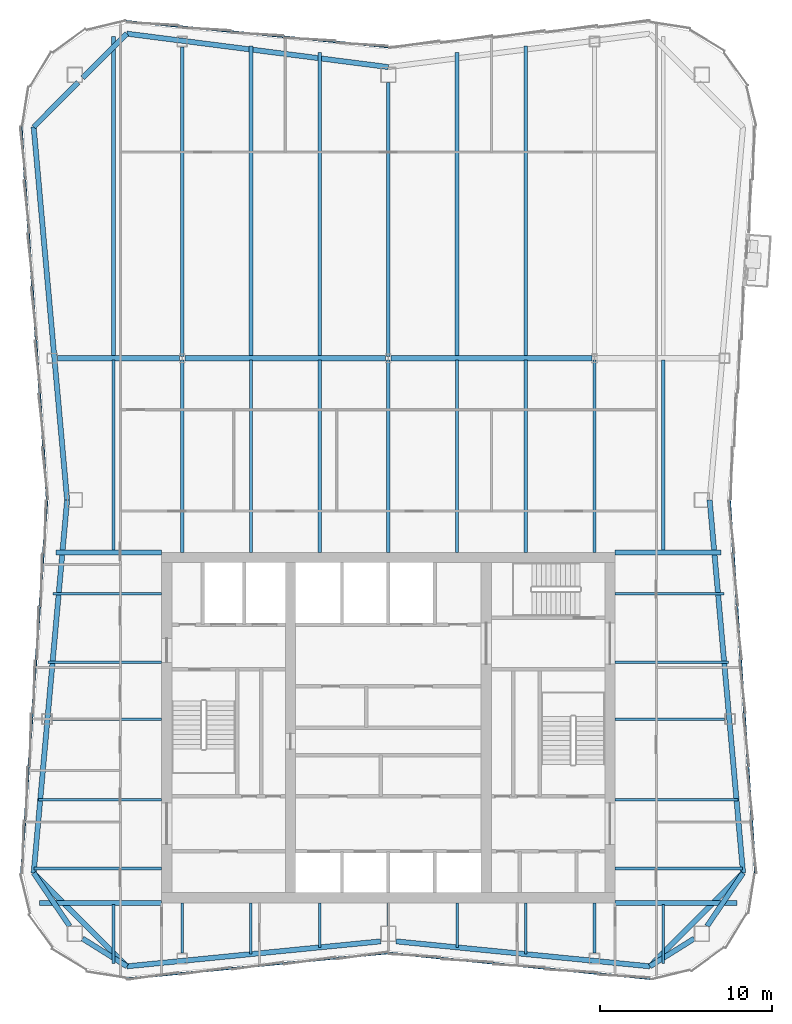
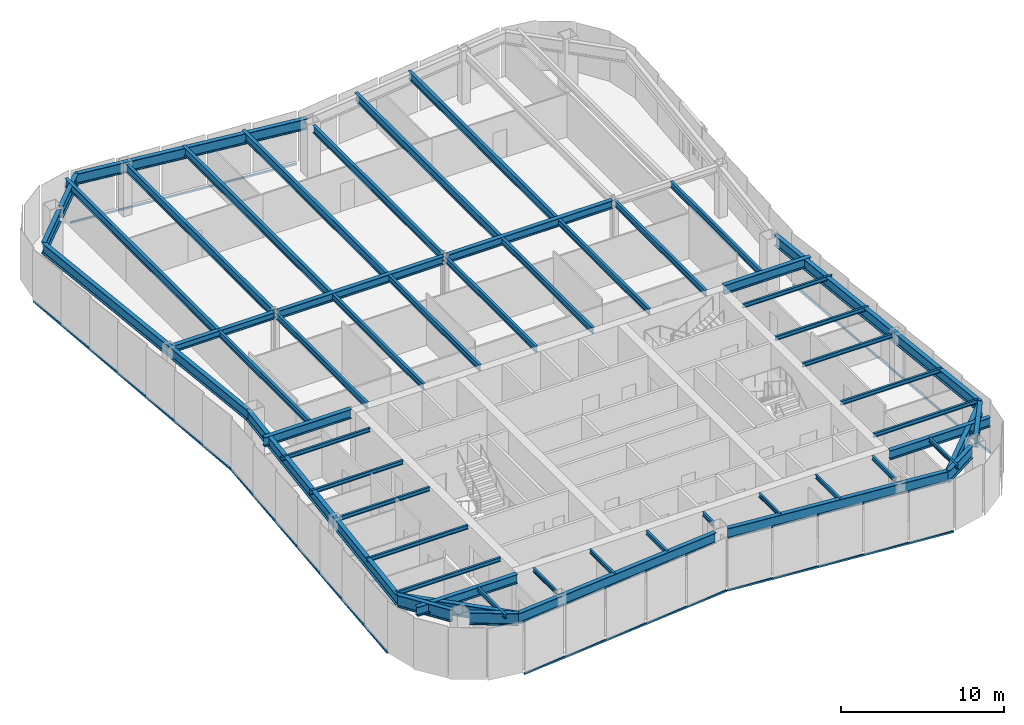
# One storey, part 3 of 10: 56 beams, 6 members, 4 elements without a shape of their own.
"""IFC4 building model written with IfcOpenShell, lengths in metres."""

from ifc_helpers import new_model, si_unit, direction, frame, origin, origin_2d, place, context, subcontext, project, spatial, rectangle, i_section, extrude, material, material_profile, profile_set, type_object, element, aggregate, save


model = new_model("IFC4")

# Units and contexts
model_context = context("Model", 3, precision=1e-05, world=origin(), true_north=direction((0.0, 1.0)))
body_context = subcontext(model_context, "Body", "Model", "MODEL_VIEW")
ifc_project = project(units=[si_unit("LENGTHUNIT", "METRE"), si_unit("AREAUNIT", "SQUARE_METRE"), si_unit("VOLUMEUNIT", "CUBIC_METRE"), si_unit("PLANEANGLEUNIT", "RADIAN"), si_unit("MASSUNIT", "GRAM", prefix="KILO")], contexts=[model_context])

# Site, building, storey
site_placement = place(None, origin())
site = spatial("IfcSite", under=ifc_project, at=site_placement, CompositionType="ELEMENT")
building_placement = place(site_placement, origin())
building = spatial("IfcBuilding", under=site, at=building_placement, Name="Verdant Reach Tower", CompositionType="ELEMENT")
storey_placement = place(building_placement, frame((0.0, 0.0, 322.0)))
storey = spatial("IfcBuildingStorey", under=building, at=storey_placement, Name="L74", CompositionType="ELEMENT", Elevation=322.0)

# Curtain wall, member
ifc_material_1 = material(Name="Anodised aluminium", Category="aluminium")
curtain_wall_type = type_object("IfcCurtainWallType", Name="EN-CW SYSTEM Z5", PredefinedType="NOTDEFINED", material=ifc_material_1)
curtain_wall_1_placement = place(storey_placement, origin())
curtain_wall_1 = element("IfcCurtainWall", 1, at=curtain_wall_1_placement, inside=storey, type_object=curtain_wall_type, Name="Curtain wall east, L74", PredefinedType="NOTDEFINED")
ifc_material_profile_1 = material_profile(ifc_material_1, rectangle(XDim=0.10009765625, YDim=0.1298828125, at=origin_2d()), Name="Transom 130x100")
ifc_profile_set_1 = profile_set([ifc_material_profile_1], Name="Anodised aluminium")
member_type = type_object("IfcMemberType", Name="EN-TRANSOM Z5", PredefinedType="USERDEFINED", material=ifc_profile_set_1)
member_1_placement = place(storey_placement, frame((21.3623046875, 19.527587890625, -0.284912109375), z_axis=(-0.068764705107, 0.997632906099, 0.0), x_axis=(-0.997632906099, -0.068764705107, 0.0)))
member_1 = element("IfcMember", 2, at=member_1_placement, type_object=member_type, Name="Transom east face part 1 1.1, L74", ObjectType="TRANSOM", PredefinedType="USERDEFINED", context=body_context, shape_type="SweptSolid", body=[
    extrude(rectangle(XDim=0.10009765625, YDim=0.1298828125, at=origin_2d()), origin(), (0.0, 0.0, 1.0), 21.739013671875),
])
aggregate(curtain_wall_1, [member_1])

curtain_wall_2_placement = place(storey_placement, origin())
curtain_wall_2 = element("IfcCurtainWall", 3, at=curtain_wall_2_placement, inside=storey, type_object=curtain_wall_type, Name="Curtain wall north, L74", PredefinedType="NOTDEFINED")
member_2_placement = place(storey_placement, frame((-0.034912109375, 67.618408203125, -0.284912109375), z_axis=(-0.99520229006, 0.097838652171, 0.0), x_axis=(-0.097838652171, -0.99520229006, 0.0)))
member_2 = element("IfcMember", 4, at=member_2_placement, type_object=member_type, Name="Transom north face part 2 1.1, L74", ObjectType="TRANSOM", PredefinedType="USERDEFINED", context=body_context, shape_type="SweptSolid", body=[
    extrude(rectangle(XDim=0.10009765625, YDim=0.1298828125, at=origin_2d()), origin(), (0.0, 0.0, 1.0), 15.259033203125),
])
aggregate(curtain_wall_2, [member_2])

# Curtain wall, members
curtain_wall_3_placement = place(storey_placement, origin())
curtain_wall_3 = element("IfcCurtainWall", 5, at=curtain_wall_3_placement, inside=storey, type_object=curtain_wall_type, Name="Curtain wall west, L74", PredefinedType="NOTDEFINED")
member_3_placement = place(storey_placement, frame((-21.3623046875, 62.972412109375, -0.284912109375), z_axis=(0.068764705107, -0.997632906099, 0.0), x_axis=(0.997632906099, 0.068764705107, 0.0)))
member_3 = element("IfcMember", 6, at=member_3_placement, type_object=member_type, Name="Transom west face part 1 1.1, L74", ObjectType="TRANSOM", PredefinedType="USERDEFINED", context=body_context, shape_type="SweptSolid", body=[
    extrude(rectangle(XDim=0.10009765625, YDim=0.1298828125, at=origin_2d()), origin(), (0.0, 0.0, 1.0), 21.739013671875),
])
member_4_placement = place(storey_placement, frame((-19.867431640625, 41.215087890625, -0.284912109375), z_axis=(-0.068764705107, -0.997632906099, 0.0), x_axis=(0.997632906099, -0.068764705107, 0.0)))
member_4 = element("IfcMember", 7, at=member_4_placement, type_object=member_type, Name="Transom west face part 2 1.1, L74", ObjectType="TRANSOM", PredefinedType="USERDEFINED", context=body_context, shape_type="SweptSolid", body=[
    extrude(rectangle(XDim=0.10009765625, YDim=0.1298828125, at=origin_2d()), origin(), (0.0, 0.0, 1.0), 21.739013671875),
])
aggregate(curtain_wall_3, [member_3, member_4])

curtain_wall_4_placement = place(storey_placement, origin())
curtain_wall_4 = element("IfcCurtainWall", 8, at=curtain_wall_4_placement, inside=storey, type_object=curtain_wall_type, Name="Curtain wall south, L74", PredefinedType="NOTDEFINED")
member_5_placement = place(storey_placement, frame((-15.220703125, 13.388671875, -0.284912109375), z_axis=(0.99520229006, 0.097838652171, 0.0), x_axis=(-0.097838652171, 0.99520229006, 0.0)))
member_5 = element("IfcMember", 9, at=member_5_placement, type_object=member_type, Name="Transom south face part 1 1.1, L74", ObjectType="TRANSOM", PredefinedType="USERDEFINED", context=body_context, shape_type="SweptSolid", body=[
    extrude(rectangle(XDim=0.10009765625, YDim=0.1298828125, at=origin_2d()), origin(), (0.0, 0.0, 1.0), 15.259033203125),
])
member_6_placement = place(storey_placement, frame((0.034912109375, 14.881591796875, -0.284912109375), z_axis=(0.99520229006, -0.097838652171, 0.0), x_axis=(0.097838652171, 0.99520229006, 0.0)))
member_6 = element("IfcMember", 10, at=member_6_placement, type_object=member_type, Name="Transom south face part 2 1.1, L74", ObjectType="TRANSOM", PredefinedType="USERDEFINED", context=body_context, shape_type="SweptSolid", body=[
    extrude(rectangle(XDim=0.10009765625, YDim=0.1298828125, at=origin_2d()), origin(), (0.0, 0.0, 1.0), 15.259033203125),
])
aggregate(curtain_wall_4, [member_5, member_6])

# Beams
ifc_material_2 = material(Name="Steel S355", Category="steel")
ifc_material_profile_2 = material_profile(ifc_material_2, i_section(OverallWidth=0.300048828125, OverallDepth=0.489990234375, WebThickness=0.011962890625, FlangeThickness=0.02294921875, FilletRadius=0.027099609375, at=origin_2d()), Name="HEA 500")
ifc_profile_set_2 = profile_set([ifc_material_profile_2], Name="Steel S355")
beam_type_1 = type_object("IfcBeamType", Name="ST-BEAM-HEA500", PredefinedType="BEAM", material=ifc_profile_set_2)
beam_1_placement = place(storey_placement, frame((-19.26904296875, 49.5, 3.625), z_axis=(1.0, 0.0, 0.0), x_axis=(0.0, 1.0, 0.0)))
element("IfcBeam", 11, at=beam_1_placement, inside=storey, type_object=beam_type_1, Name="Row girder, L74", PredefinedType="BEAM", context=body_context, shape_type="SweptSolid", body=[
    extrude(i_section(OverallWidth=0.300048828125, OverallDepth=0.489990234375, WebThickness=0.011962890625, FlangeThickness=0.02294921875, FilletRadius=0.027099609375, at=origin_2d()), origin(), (0.0, 0.0, 1.0), 7.115966796875),
])
ifc_material_profile_3 = material_profile(ifc_material_2, i_section(OverallWidth=0.300048828125, OverallDepth=0.60009765625, WebThickness=0.015380859375, FlangeThickness=0.030029296875, FilletRadius=0.027099609375, at=origin_2d()), Name="HEB 600")
ifc_profile_set_3 = profile_set([ifc_material_profile_3], Name="Steel S355")
beam_type_2 = type_object("IfcBeamType", Name="ST-BEAM-HEB600", PredefinedType="BEAM", material=ifc_profile_set_3)
for number, where, z_axis, x_axis, name in (
    (12, (-11.846923828125, 49.5, 3.570068359375), (1.0, 0.0, 0.0), (0.0, 1.0, 0.0), "Row girder, L74"),
    (13, (0.153076171875, 49.5, 3.570068359375), (1.0, 0.0, 0.0), (0.0, 1.0, 0.0), "Row girder, L74"),
):
    element("IfcBeam", number, at=place(storey_placement, frame(where, z_axis=z_axis, x_axis=x_axis)), inside=storey, type_object=beam_type_2, Name=name, PredefinedType="BEAM", context=body_context, shape_type="SweptSolid", body=[
        extrude(i_section(OverallWidth=0.300048828125, OverallDepth=0.60009765625, WebThickness=0.015380859375, FlangeThickness=0.030029296875, FilletRadius=0.027099609375, at=origin_2d()), origin(), (0.0, 0.0, 1.0), 11.69384765625),
    ])
ifc_material_profile_4 = material_profile(ifc_material_2, i_section(OverallWidth=0.300048828125, OverallDepth=0.699951171875, WebThickness=0.01708984375, FlangeThickness=0.031982421875, FilletRadius=0.027099609375, at=origin_2d()), Name="HEB 700")
ifc_profile_set_4 = profile_set([ifc_material_profile_4], Name="Steel S355")
beam_type_3 = type_object("IfcBeamType", Name="ST-BEAM-HEB700", PredefinedType="BEAM", material=ifc_profile_set_4)
for number, where, z_axis, x_axis, name in (
    (14, (13.199951171875, 38.199951171875, 3.52001953125), (1.0, 0.0, 0.0), (0.0, 1.0, 0.0), "Trimmer beam, L74"),
    (15, (-13.199951171875, 38.199951171875, 3.52001953125), (-1.0, 0.0, 0.0), (0.0, -1.0, 0.0), "Trimmer beam, L74"),
):
    element("IfcBeam", number, at=place(storey_placement, frame(where, z_axis=z_axis, x_axis=x_axis)), inside=storey, type_object=beam_type_3, Name=name, PredefinedType="BEAM", context=body_context, shape_type="SweptSolid", body=[
        extrude(i_section(OverallWidth=0.300048828125, OverallDepth=0.699951171875, WebThickness=0.01708984375, FlangeThickness=0.031982421875, FilletRadius=0.027099609375, at=origin_2d()), origin(), (0.0, 0.0, 1.0), 6.158935546875),
    ])
for number, where, z_axis, x_axis, name in (
    (16, (13.199951171875, 17.800048828125, 3.52001953125), (1.0, 0.0, 0.0), (0.0, 1.0, 0.0), "Trimmer beam, L74"),
    (17, (-13.199951171875, 17.800048828125, 3.52001953125), (-1.0, 0.0, 0.0), (0.0, -1.0, 0.0), "Trimmer beam, L74"),
):
    element("IfcBeam", number, at=place(storey_placement, frame(where, z_axis=z_axis, x_axis=x_axis)), inside=storey, type_object=beam_type_3, Name=name, PredefinedType="BEAM", context=body_context, shape_type="SweptSolid", body=[
        extrude(i_section(OverallWidth=0.300048828125, OverallDepth=0.699951171875, WebThickness=0.01708984375, FlangeThickness=0.031982421875, FilletRadius=0.027099609375, at=origin_2d()), origin(), (0.0, 0.0, 1.0), 7.10009765625),
    ])
ifc_material_profile_5 = material_profile(ifc_material_2, i_section(OverallWidth=0.302001953125, OverallDepth=0.909912109375, WebThickness=0.02099609375, FlangeThickness=0.0400390625, FilletRadius=0.030029296875, at=origin_2d()), Name="HEM 900")
ifc_profile_set_5 = profile_set([ifc_material_profile_5], Name="Steel S355")
beam_type_4 = type_object("IfcBeamType", Name="ST-BEAM-HEM900", PredefinedType="BEAM", material=ifc_profile_set_5)
beam_2_placement = place(storey_placement, frame((17.800048828125, 15.71875, 3.4150390625), z_axis=(-0.847903624467, -0.530150397166, 0.0), x_axis=(0.530150397166, -0.847903624467, 0.0)))
element("IfcBeam", 18, at=beam_2_placement, inside=storey, type_object=beam_type_4, Name="Column stub beam, L74", PredefinedType="BEAM", context=body_context, shape_type="SweptSolid", body=[
    extrude(i_section(OverallWidth=0.302001953125, OverallDepth=0.909912109375, WebThickness=0.02099609375, FlangeThickness=0.0400390625, FilletRadius=0.030029296875, at=origin_2d()), origin(), (0.0, 0.0, 1.0), 3.042724609375),
])
beam_3_placement = place(storey_placement, frame((18.5546875, 16.449951171875, 3.4150390625), z_axis=(0.560667226688, 0.828041219335, 0.0), x_axis=(-0.828041219335, 0.560667226688, 0.0)))
element("IfcBeam", 19, at=beam_3_placement, inside=storey, type_object=beam_type_4, Name="Column stub beam, L74", PredefinedType="BEAM", context=body_context, shape_type="SweptSolid", body=[
    extrude(i_section(OverallWidth=0.302001953125, OverallDepth=0.909912109375, WebThickness=0.02099609375, FlangeThickness=0.0400390625, FilletRadius=0.030029296875, at=origin_2d()), origin(), (0.0, 0.0, 1.0), 3.72998046875),
])
beam_4_placement = place(storey_placement, frame((-17.800048828125, 15.71875, 3.4150390625), z_axis=(0.847903624467, -0.530150397166, 0.0), x_axis=(0.530150397166, 0.847903624467, 0.0)))
element("IfcBeam", 20, at=beam_4_placement, inside=storey, type_object=beam_type_4, Name="Column stub beam, L74", PredefinedType="BEAM", context=body_context, shape_type="SweptSolid", body=[
    extrude(i_section(OverallWidth=0.302001953125, OverallDepth=0.909912109375, WebThickness=0.02099609375, FlangeThickness=0.0400390625, FilletRadius=0.030029296875, at=origin_2d()), origin(), (0.0, 0.0, 1.0), 3.042724609375),
])
beam_5_placement = place(storey_placement, frame((-18.5546875, 16.449951171875, 3.4150390625), z_axis=(-0.560667226688, 0.828041219335, 0.0), x_axis=(-0.828041219335, -0.560667226688, 0.0)))
element("IfcBeam", 21, at=beam_5_placement, inside=storey, type_object=beam_type_4, Name="Column stub beam, L74", PredefinedType="BEAM", context=body_context, shape_type="SweptSolid", body=[
    extrude(i_section(OverallWidth=0.302001953125, OverallDepth=0.909912109375, WebThickness=0.02099609375, FlangeThickness=0.0400390625, FilletRadius=0.030029296875, at=origin_2d()), origin(), (0.0, 0.0, 1.0), 3.72998046875),
])
ifc_material_profile_6 = material_profile(ifc_material_2, i_section(OverallWidth=0.14990234375, OverallDepth=0.300048828125, WebThickness=0.007080078125, FlangeThickness=0.0107421875, FilletRadius=0.014892578125, at=origin_2d()), Name="IPE 300")
ifc_profile_set_6 = profile_set([ifc_material_profile_6], Name="Steel S355")
beam_type_5 = type_object("IfcBeamType", Name="ST-JOIST-IPE300", PredefinedType="JOIST", material=ifc_profile_set_6)
beam_6_placement = place(storey_placement, frame((-16.0, 17.699951171875, 3.719970703125), z_axis=(0.0, -1.0, 0.0), x_axis=(1.0, 0.0, 0.0)))
element("IfcBeam", 22, at=beam_6_placement, inside=storey, type_object=beam_type_5, Name="Floor joist, L74", PredefinedType="JOIST", context=body_context, shape_type="SweptSolid", body=[
    extrude(i_section(OverallWidth=0.14990234375, OverallDepth=0.300048828125, WebThickness=0.007080078125, FlangeThickness=0.0107421875, FilletRadius=0.014892578125, at=origin_2d()), origin(), (0.0, 0.0, 1.0), 3.43896484375),
])
beam_7_placement = place(storey_placement, frame((-12.0, 17.800048828125, 3.719970703125), z_axis=(0.0, -1.0, 0.0), x_axis=(1.0, 0.0, 0.0)))
element("IfcBeam", 23, at=beam_7_placement, inside=storey, type_object=beam_type_5, Name="Floor joist, L74", PredefinedType="JOIST", context=body_context, shape_type="SweptSolid", body=[
    extrude(i_section(OverallWidth=0.14990234375, OverallDepth=0.300048828125, WebThickness=0.007080078125, FlangeThickness=0.0107421875, FilletRadius=0.014892578125, at=origin_2d()), origin(), (0.0, 0.0, 1.0), 2.930419921875),
])
beam_8_placement = place(storey_placement, frame((-8.0, 17.800048828125, 3.719970703125), z_axis=(0.0, -1.0, 0.0), x_axis=(1.0, 0.0, 0.0)))
element("IfcBeam", 24, at=beam_8_placement, inside=storey, type_object=beam_type_5, Name="Floor joist, L74", PredefinedType="JOIST", context=body_context, shape_type="SweptSolid", body=[
    extrude(i_section(OverallWidth=0.14990234375, OverallDepth=0.300048828125, WebThickness=0.007080078125, FlangeThickness=0.0107421875, FilletRadius=0.014892578125, at=origin_2d()), origin(), (0.0, 0.0, 1.0), 2.984130859375),
])
beam_9_placement = place(storey_placement, frame((-4.0, 17.800048828125, 3.719970703125), z_axis=(0.0, -1.0, 0.0), x_axis=(1.0, 0.0, 0.0)))
element("IfcBeam", 25, at=beam_9_placement, inside=storey, type_object=beam_type_5, Name="Floor joist, L74", PredefinedType="JOIST", context=body_context, shape_type="SweptSolid", body=[
    extrude(i_section(OverallWidth=0.14990234375, OverallDepth=0.300048828125, WebThickness=0.007080078125, FlangeThickness=0.0107421875, FilletRadius=0.014892578125, at=origin_2d()), origin(), (0.0, 0.0, 1.0), 2.590576171875),
])
beam_10_placement = place(storey_placement, frame((0.0, 17.800048828125, 3.719970703125), z_axis=(0.0, -1.0, 0.0), x_axis=(1.0, 0.0, 0.0)))
element("IfcBeam", 26, at=beam_10_placement, inside=storey, type_object=beam_type_5, Name="Floor joist, L74", PredefinedType="JOIST", context=body_context, shape_type="SweptSolid", body=[
    extrude(i_section(OverallWidth=0.14990234375, OverallDepth=0.300048828125, WebThickness=0.007080078125, FlangeThickness=0.0107421875, FilletRadius=0.014892578125, at=origin_2d()), origin(), (0.0, 0.0, 1.0), 1.35009765625),
])
beam_11_placement = place(storey_placement, frame((4.0, 17.800048828125, 3.719970703125), z_axis=(0.0, -1.0, 0.0), x_axis=(1.0, 0.0, 0.0)))
element("IfcBeam", 27, at=beam_11_placement, inside=storey, type_object=beam_type_5, Name="Floor joist, L74", PredefinedType="JOIST", context=body_context, shape_type="SweptSolid", body=[
    extrude(i_section(OverallWidth=0.14990234375, OverallDepth=0.300048828125, WebThickness=0.007080078125, FlangeThickness=0.0107421875, FilletRadius=0.014892578125, at=origin_2d()), origin(), (0.0, 0.0, 1.0), 2.590576171875),
])
beam_12_placement = place(storey_placement, frame((8.0, 17.800048828125, 3.719970703125), z_axis=(0.0, -1.0, 0.0), x_axis=(1.0, 0.0, 0.0)))
element("IfcBeam", 28, at=beam_12_placement, inside=storey, type_object=beam_type_5, Name="Floor joist, L74", PredefinedType="JOIST", context=body_context, shape_type="SweptSolid", body=[
    extrude(i_section(OverallWidth=0.14990234375, OverallDepth=0.300048828125, WebThickness=0.007080078125, FlangeThickness=0.0107421875, FilletRadius=0.014892578125, at=origin_2d()), origin(), (0.0, 0.0, 1.0), 2.984130859375),
])
beam_13_placement = place(storey_placement, frame((12.0, 17.800048828125, 3.719970703125), z_axis=(0.0, -1.0, 0.0), x_axis=(1.0, 0.0, 0.0)))
element("IfcBeam", 29, at=beam_13_placement, inside=storey, type_object=beam_type_5, Name="Floor joist, L74", PredefinedType="JOIST", context=body_context, shape_type="SweptSolid", body=[
    extrude(i_section(OverallWidth=0.14990234375, OverallDepth=0.300048828125, WebThickness=0.007080078125, FlangeThickness=0.0107421875, FilletRadius=0.014892578125, at=origin_2d()), origin(), (0.0, 0.0, 1.0), 2.930419921875),
])
beam_14_placement = place(storey_placement, frame((16.0, 17.699951171875, 3.719970703125), z_axis=(0.0, -1.0, 0.0), x_axis=(1.0, 0.0, 0.0)))
element("IfcBeam", 30, at=beam_14_placement, inside=storey, type_object=beam_type_5, Name="Floor joist, L74", PredefinedType="JOIST", context=body_context, shape_type="SweptSolid", body=[
    extrude(i_section(OverallWidth=0.14990234375, OverallDepth=0.300048828125, WebThickness=0.007080078125, FlangeThickness=0.0107421875, FilletRadius=0.014892578125, at=origin_2d()), origin(), (0.0, 0.0, 1.0), 3.43896484375),
])
for number, where, z_axis, x_axis, name in (
    (31, (13.199951171875, 19.800048828125, 3.719970703125), (1.0, 0.0, 0.0), (0.0, 1.0, 0.0), "Floor joist, L74"),
    (32, (-13.199951171875, 19.800048828125, 3.719970703125), (-1.0, 0.0, 0.0), (0.0, -1.0, 0.0), "Floor joist, L74"),
):
    element("IfcBeam", number, at=place(storey_placement, frame(where, z_axis=z_axis, x_axis=x_axis)), inside=storey, type_object=beam_type_5, Name=name, PredefinedType="JOIST", context=body_context, shape_type="SweptSolid", body=[
        extrude(i_section(OverallWidth=0.14990234375, OverallDepth=0.300048828125, WebThickness=0.007080078125, FlangeThickness=0.0107421875, FilletRadius=0.014892578125, at=origin_2d()), origin(), (0.0, 0.0, 1.0), 7.427978515625),
    ])
for number, where, z_axis, x_axis, name in (
    (33, (13.199951171875, 23.800048828125, 3.719970703125), (1.0, 0.0, 0.0), (0.0, 1.0, 0.0), "Floor joist, L74"),
    (34, (-13.199951171875, 23.800048828125, 3.719970703125), (-1.0, 0.0, 0.0), (0.0, -1.0, 0.0), "Floor joist, L74"),
):
    element("IfcBeam", number, at=place(storey_placement, frame(where, z_axis=z_axis, x_axis=x_axis)), inside=storey, type_object=beam_type_5, Name=name, PredefinedType="JOIST", context=body_context, shape_type="SweptSolid", body=[
        extrude(i_section(OverallWidth=0.14990234375, OverallDepth=0.300048828125, WebThickness=0.007080078125, FlangeThickness=0.0107421875, FilletRadius=0.014892578125, at=origin_2d()), origin(), (0.0, 0.0, 1.0), 7.152099609375),
    ])
for number, where, z_axis, x_axis, name in (
    (35, (13.199951171875, 28.5, 3.719970703125), (1.0, 0.0, 0.0), (0.0, 1.0, 0.0), "Floor joist, L74"),
    (36, (-13.199951171875, 28.5, 3.719970703125), (-1.0, 0.0, 0.0), (0.0, -1.0, 0.0), "Floor joist, L74"),
):
    element("IfcBeam", number, at=place(storey_placement, frame(where, z_axis=z_axis, x_axis=x_axis)), inside=storey, type_object=beam_type_5, Name=name, PredefinedType="JOIST", context=body_context, shape_type="SweptSolid", body=[
        extrude(i_section(OverallWidth=0.14990234375, OverallDepth=0.300048828125, WebThickness=0.007080078125, FlangeThickness=0.0107421875, FilletRadius=0.014892578125, at=origin_2d()), origin(), (0.0, 0.0, 1.0), 6.37939453125),
    ])
for number, where, z_axis, x_axis, name in (
    (37, (13.199951171875, 31.800048828125, 3.719970703125), (1.0, 0.0, 0.0), (0.0, 1.0, 0.0), "Floor joist, L74"),
    (38, (-13.199951171875, 31.800048828125, 3.719970703125), (-1.0, 0.0, 0.0), (0.0, -1.0, 0.0), "Floor joist, L74"),
):
    element("IfcBeam", number, at=place(storey_placement, frame(where, z_axis=z_axis, x_axis=x_axis)), inside=storey, type_object=beam_type_5, Name=name, PredefinedType="JOIST", context=body_context, shape_type="SweptSolid", body=[
        extrude(i_section(OverallWidth=0.14990234375, OverallDepth=0.300048828125, WebThickness=0.007080078125, FlangeThickness=0.0107421875, FilletRadius=0.014892578125, at=origin_2d()), origin(), (0.0, 0.0, 1.0), 6.600341796875),
    ])
for number, where, z_axis, x_axis, name in (
    (39, (13.199951171875, 35.800048828125, 3.719970703125), (1.0, 0.0, 0.0), (0.0, 1.0, 0.0), "Floor joist, L74"),
    (40, (-13.199951171875, 35.800048828125, 3.719970703125), (-1.0, 0.0, 0.0), (0.0, -1.0, 0.0), "Floor joist, L74"),
):
    element("IfcBeam", number, at=place(storey_placement, frame(where, z_axis=z_axis, x_axis=x_axis)), inside=storey, type_object=beam_type_5, Name=name, PredefinedType="JOIST", context=body_context, shape_type="SweptSolid", body=[
        extrude(i_section(OverallWidth=0.14990234375, OverallDepth=0.300048828125, WebThickness=0.007080078125, FlangeThickness=0.0107421875, FilletRadius=0.014892578125, at=origin_2d()), origin(), (0.0, 0.0, 1.0), 6.324462890625),
    ])
ifc_material_profile_7 = material_profile(ifc_material_2, i_section(OverallWidth=0.18994140625, OverallDepth=0.449951171875, WebThickness=0.009521484375, FlangeThickness=0.0146484375, FilletRadius=0.02099609375, at=origin_2d()), Name="IPE 450")
ifc_profile_set_7 = profile_set([ifc_material_profile_7], Name="Steel S355")
beam_type_6 = type_object("IfcBeamType", Name="ST-JOIST-IPE450", PredefinedType="JOIST", material=ifc_profile_set_7)
beam_15_placement = place(storey_placement, frame((-16.0, 38.300048828125, 3.64501953125), z_axis=(0.0, 1.0, 0.0), x_axis=(-1.0, 0.0, 0.0)))
element("IfcBeam", 41, at=beam_15_placement, inside=storey, type_object=beam_type_6, Name="Floor joist, L74", PredefinedType="JOIST", context=body_context, shape_type="SweptSolid", body=[
    extrude(i_section(OverallWidth=0.18994140625, OverallDepth=0.449951171875, WebThickness=0.009521484375, FlangeThickness=0.0146484375, FilletRadius=0.02099609375, at=origin_2d()), origin(), (0.0, 0.0, 1.0), 11.099853515625),
])
for number, where, z_axis, x_axis, name in (
    (42, (-12.0, 38.199951171875, 3.64501953125), (0.0, 1.0, 0.0), (-1.0, 0.0, 0.0), "Floor joist, L74"),
    (43, (-8.0, 38.199951171875, 3.64501953125), (0.0, 1.0, 0.0), (-1.0, 0.0, 0.0), "Floor joist, L74"),
    (44, (-4.0, 38.199951171875, 3.64501953125), (0.0, 1.0, 0.0), (-1.0, 0.0, 0.0), "Floor joist, L74"),
    (45, (0.0, 38.199951171875, 3.64501953125), (0.0, 1.0, 0.0), (-1.0, 0.0, 0.0), "Floor joist, L74"),
    (46, (4.0, 38.199951171875, 3.64501953125), (0.0, 1.0, 0.0), (-1.0, 0.0, 0.0), "Floor joist, L74"),
    (47, (8.0, 38.199951171875, 3.64501953125), (0.0, 1.0, 0.0), (-1.0, 0.0, 0.0), "Floor joist, L74"),
    (48, (12.0, 38.199951171875, 3.64501953125), (0.0, 1.0, 0.0), (-1.0, 0.0, 0.0), "Floor joist, L74"),
):
    element("IfcBeam", number, at=place(storey_placement, frame(where, z_axis=z_axis, x_axis=x_axis)), inside=storey, type_object=beam_type_6, Name=name, PredefinedType="JOIST", context=body_context, shape_type="SweptSolid", body=[
        extrude(i_section(OverallWidth=0.18994140625, OverallDepth=0.449951171875, WebThickness=0.009521484375, FlangeThickness=0.0146484375, FilletRadius=0.02099609375, at=origin_2d()), origin(), (0.0, 0.0, 1.0), 11.199951171875),
    ])
beam_16_placement = place(storey_placement, frame((16.0, 38.300048828125, 3.64501953125), z_axis=(0.0, 1.0, 0.0), x_axis=(-1.0, 0.0, 0.0)))
element("IfcBeam", 49, at=beam_16_placement, inside=storey, type_object=beam_type_6, Name="Floor joist, L74", PredefinedType="JOIST", context=body_context, shape_type="SweptSolid", body=[
    extrude(i_section(OverallWidth=0.18994140625, OverallDepth=0.449951171875, WebThickness=0.009521484375, FlangeThickness=0.0146484375, FilletRadius=0.02099609375, at=origin_2d()), origin(), (0.0, 0.0, 1.0), 11.099853515625),
])
ifc_material_profile_8 = material_profile(ifc_material_2, i_section(OverallWidth=0.2099609375, OverallDepth=0.550048828125, WebThickness=0.010986328125, FlangeThickness=0.01708984375, FilletRadius=0.02392578125, at=origin_2d()), Name="IPE 550")
ifc_profile_set_8 = profile_set([ifc_material_profile_8], Name="Steel S355")
beam_type_7 = type_object("IfcBeamType", Name="ST-JOIST-IPE550", PredefinedType="JOIST", material=ifc_profile_set_8)
beam_17_placement = place(storey_placement, frame((0.0, 49.60009765625, 3.594970703125), z_axis=(0.0, 1.0, 0.0), x_axis=(-1.0, 0.0, 0.0)))
element("IfcBeam", 50, at=beam_17_placement, inside=storey, type_object=beam_type_7, Name="Floor joist, L74", PredefinedType="JOIST", context=body_context, shape_type="SweptSolid", body=[
    extrude(i_section(OverallWidth=0.2099609375, OverallDepth=0.550048828125, WebThickness=0.010986328125, FlangeThickness=0.01708984375, FilletRadius=0.02392578125, at=origin_2d()), origin(), (0.0, 0.0, 1.0), 15.949951171875),
])
ifc_material_profile_9 = material_profile(ifc_material_2, i_section(OverallWidth=0.219970703125, OverallDepth=0.60009765625, WebThickness=0.011962890625, FlangeThickness=0.01904296875, FilletRadius=0.02392578125, at=origin_2d()), Name="IPE 600")
ifc_profile_set_9 = profile_set([ifc_material_profile_9], Name="Steel S355")
beam_type_8 = type_object("IfcBeamType", Name="ST-JOIST-IPE600", PredefinedType="JOIST", material=ifc_profile_set_9)
beam_18_placement = place(storey_placement, frame((-16.0, 49.60009765625, 3.570068359375), z_axis=(0.0, 1.0, 0.0), x_axis=(-1.0, 0.0, 0.0)))
element("IfcBeam", 51, at=beam_18_placement, inside=storey, type_object=beam_type_8, Name="Floor joist, L74", PredefinedType="JOIST", context=body_context, shape_type="SweptSolid", body=[
    extrude(i_section(OverallWidth=0.219970703125, OverallDepth=0.60009765625, WebThickness=0.011962890625, FlangeThickness=0.01904296875, FilletRadius=0.02392578125, at=origin_2d()), origin(), (0.0, 0.0, 1.0), 18.638916015625),
])
beam_19_placement = place(storey_placement, frame((-12.0, 49.60009765625, 3.570068359375), z_axis=(0.0, 1.0, 0.0), x_axis=(-1.0, 0.0, 0.0)))
element("IfcBeam", 52, at=beam_19_placement, inside=storey, type_object=beam_type_8, Name="Floor joist, L74", PredefinedType="JOIST", context=body_context, shape_type="SweptSolid", body=[
    extrude(i_section(OverallWidth=0.219970703125, OverallDepth=0.60009765625, WebThickness=0.011962890625, FlangeThickness=0.01904296875, FilletRadius=0.02392578125, at=origin_2d()), origin(), (0.0, 0.0, 1.0), 18.0302734375),
])
beam_20_placement = place(storey_placement, frame((-8.0, 49.60009765625, 3.570068359375), z_axis=(0.0, 1.0, 0.0), x_axis=(-1.0, 0.0, 0.0)))
element("IfcBeam", 53, at=beam_20_placement, inside=storey, type_object=beam_type_8, Name="Floor joist, L74", PredefinedType="JOIST", context=body_context, shape_type="SweptSolid", body=[
    extrude(i_section(OverallWidth=0.219970703125, OverallDepth=0.60009765625, WebThickness=0.011962890625, FlangeThickness=0.01904296875, FilletRadius=0.02392578125, at=origin_2d()), origin(), (0.0, 0.0, 1.0), 18.083984375),
])
for number, where, z_axis, x_axis, name in (
    (54, (-4.0, 49.60009765625, 3.570068359375), (0.0, 1.0, 0.0), (-1.0, 0.0, 0.0), "Floor joist, L74"),
    (55, (4.0, 49.60009765625, 3.570068359375), (0.0, 1.0, 0.0), (-1.0, 0.0, 0.0), "Floor joist, L74"),
):
    element("IfcBeam", number, at=place(storey_placement, frame(where, z_axis=z_axis, x_axis=x_axis)), inside=storey, type_object=beam_type_8, Name=name, PredefinedType="JOIST", context=body_context, shape_type="SweptSolid", body=[
        extrude(i_section(OverallWidth=0.219970703125, OverallDepth=0.60009765625, WebThickness=0.011962890625, FlangeThickness=0.01904296875, FilletRadius=0.02392578125, at=origin_2d()), origin(), (0.0, 0.0, 1.0), 17.6904296875),
    ])
beam_21_placement = place(storey_placement, frame((8.0, 49.60009765625, 3.570068359375), z_axis=(0.0, 1.0, 0.0), x_axis=(-1.0, 0.0, 0.0)))
element("IfcBeam", 56, at=beam_21_placement, inside=storey, type_object=beam_type_8, Name="Floor joist, L74", PredefinedType="JOIST", context=body_context, shape_type="SweptSolid", body=[
    extrude(i_section(OverallWidth=0.219970703125, OverallDepth=0.60009765625, WebThickness=0.011962890625, FlangeThickness=0.01904296875, FilletRadius=0.02392578125, at=origin_2d()), origin(), (0.0, 0.0, 1.0), 18.083984375),
])
ifc_material_profile_10 = material_profile(ifc_material_2, i_section(OverallWidth=0.300048828125, OverallDepth=0.800048828125, WebThickness=0.017578125, FlangeThickness=0.032958984375, FilletRadius=0.030029296875, at=origin_2d()), Name="HEB 800")
ifc_profile_set_10 = profile_set([ifc_material_profile_10], Name="Steel S355")
beam_type_9 = type_object("IfcBeamType", Name="ST-SPANDREL-HEB800", PredefinedType="SPANDREL", material=ifc_profile_set_10)
for number, where, z_axis, x_axis, name in (
    (57, (15.22021484375, 14.105712890625, 3.469970703125), (-0.995196964263, 0.097892810366, 0.0), (-0.097892810366, -0.995196964263, 0.0), "Edge beam, L74"),
    (58, (-0.449951171875, 15.55859375, 3.469970703125), (-0.995196964263, -0.097892810366, 0.0), (0.097892810366, -0.995196964263, 0.0), "Edge beam, L74"),
):
    element("IfcBeam", number, at=place(storey_placement, frame(where, z_axis=z_axis, x_axis=x_axis)), inside=storey, type_object=beam_type_9, Name=name, PredefinedType="SPANDREL", context=body_context, shape_type="SweptSolid", body=[
        extrude(i_section(OverallWidth=0.300048828125, OverallDepth=0.800048828125, WebThickness=0.017578125, FlangeThickness=0.032958984375, FilletRadius=0.030029296875, at=origin_2d()), origin(), (0.0, 0.0, 1.0), 14.841552734375),
    ])
for number, where, z_axis, x_axis, name in (
    (59, (-20.64599609375, 19.53857421875, 3.469970703125), (0.089274399498, 0.996007069048, 0.0), (-0.996007069048, 0.089274399498, 0.0), "Edge beam, L74"),
    (60, (-18.699951171875, 41.25, 3.469970703125), (-0.089274399498, 0.996007069048, 0.0), (-0.996007069048, -0.089274399498, 0.0), "Edge beam, L74"),
):
    element("IfcBeam", number, at=place(storey_placement, frame(where, z_axis=z_axis, x_axis=x_axis)), inside=storey, type_object=beam_type_9, Name=name, PredefinedType="SPANDREL", context=body_context, shape_type="SweptSolid", body=[
        extrude(i_section(OverallWidth=0.300048828125, OverallDepth=0.800048828125, WebThickness=0.017578125, FlangeThickness=0.032958984375, FilletRadius=0.030029296875, at=origin_2d()), origin(), (0.0, 0.0, 1.0), 21.798583984375),
    ])
beam_22_placement = place(storey_placement, frame((-15.22021484375, 68.394287109375, 3.469970703125), z_axis=(0.991938889669, -0.126717162063, 0.0), x_axis=(0.126717162063, 0.991938889669, 0.0)))
element("IfcBeam", 61, at=beam_22_placement, inside=storey, type_object=beam_type_9, Name="Edge beam, L74", PredefinedType="SPANDREL", context=body_context, shape_type="SweptSolid", body=[
    extrude(i_section(OverallWidth=0.300048828125, OverallDepth=0.800048828125, WebThickness=0.017578125, FlangeThickness=0.032958984375, FilletRadius=0.030029296875, at=origin_2d()), origin(), (0.0, 0.0, 1.0), 15.343994140625),
])
beam_23_placement = place(storey_placement, frame((18.699951171875, 41.25, 3.469970703125), z_axis=(0.089274399498, -0.996007069048, 0.0), x_axis=(0.996007069048, 0.089274399498, 0.0)))
element("IfcBeam", 62, at=beam_23_placement, inside=storey, type_object=beam_type_9, Name="Edge beam, L74", PredefinedType="SPANDREL", context=body_context, shape_type="SweptSolid", body=[
    extrude(i_section(OverallWidth=0.300048828125, OverallDepth=0.800048828125, WebThickness=0.017578125, FlangeThickness=0.032958984375, FilletRadius=0.030029296875, at=origin_2d()), origin(), (0.0, 0.0, 1.0), 21.798583984375),
])
ifc_material_profile_11 = material_profile(ifc_material_2, i_section(OverallWidth=0.302001953125, OverallDepth=0.909912109375, WebThickness=0.02099609375, FlangeThickness=0.0400390625, FilletRadius=0.030029296875, at=origin_2d()), Name="HEM 900")
ifc_profile_set_11 = profile_set([ifc_material_profile_11], Name="Steel S355")
beam_type_10 = type_object("IfcBeamType", Name="ST-SPANDREL-HEM900", PredefinedType="SPANDREL", material=ifc_profile_set_11)
beam_24_placement = place(storey_placement, frame((-15.22021484375, 14.105712890625, 3.4150390625), z_axis=(-0.706645581521, 0.707567680237, 0.0), x_axis=(-0.707567680237, -0.706645581521, 0.0)))
element("IfcBeam", 63, at=beam_24_placement, inside=storey, type_object=beam_type_10, Name="Edge beam, L74", PredefinedType="SPANDREL", context=body_context, shape_type="SweptSolid", body=[
    extrude(i_section(OverallWidth=0.302001953125, OverallDepth=0.909912109375, WebThickness=0.02099609375, FlangeThickness=0.0400390625, FilletRadius=0.030029296875, at=origin_2d()), origin(), (0.0, 0.0, 1.0), 7.67822265625),
])
beam_25_placement = place(storey_placement, frame((-20.64599609375, 62.96142578125, 3.4150390625), z_axis=(0.706639493403, 0.707573760369, 0.0), x_axis=(-0.707573760369, 0.706639493403, 0.0)))
element("IfcBeam", 64, at=beam_25_placement, inside=storey, type_object=beam_type_10, Name="Edge beam, L74", PredefinedType="SPANDREL", context=body_context, shape_type="SweptSolid", body=[
    extrude(i_section(OverallWidth=0.302001953125, OverallDepth=0.909912109375, WebThickness=0.02099609375, FlangeThickness=0.0400390625, FilletRadius=0.030029296875, at=origin_2d()), origin(), (0.0, 0.0, 1.0), 3.658447265625),
])
beam_26_placement = place(storey_placement, frame((-17.800048828125, 65.81103515625, 3.4150390625), z_axis=(0.706638520854, 0.707574731632, 0.0), x_axis=(-0.707574731632, 0.706638520854, 0.0)))
element("IfcBeam", 65, at=beam_26_placement, inside=storey, type_object=beam_type_10, Name="Edge beam, L74", PredefinedType="SPANDREL", context=body_context, shape_type="SweptSolid", body=[
    extrude(i_section(OverallWidth=0.302001953125, OverallDepth=0.909912109375, WebThickness=0.02099609375, FlangeThickness=0.0400390625, FilletRadius=0.030029296875, at=origin_2d()), origin(), (0.0, 0.0, 1.0), 3.65087890625),
])
beam_27_placement = place(storey_placement, frame((20.64599609375, 19.53857421875, 3.4150390625), z_axis=(-0.706645581521, -0.707567680237, 0.0), x_axis=(0.707567680237, -0.706645581521, 0.0)))
element("IfcBeam", 66, at=beam_27_placement, inside=storey, type_object=beam_type_10, Name="Edge beam, L74", PredefinedType="SPANDREL", context=body_context, shape_type="SweptSolid", body=[
    extrude(i_section(OverallWidth=0.302001953125, OverallDepth=0.909912109375, WebThickness=0.02099609375, FlangeThickness=0.0400390625, FilletRadius=0.030029296875, at=origin_2d()), origin(), (0.0, 0.0, 1.0), 7.67822265625),
])

save(model, "model.ifc")
